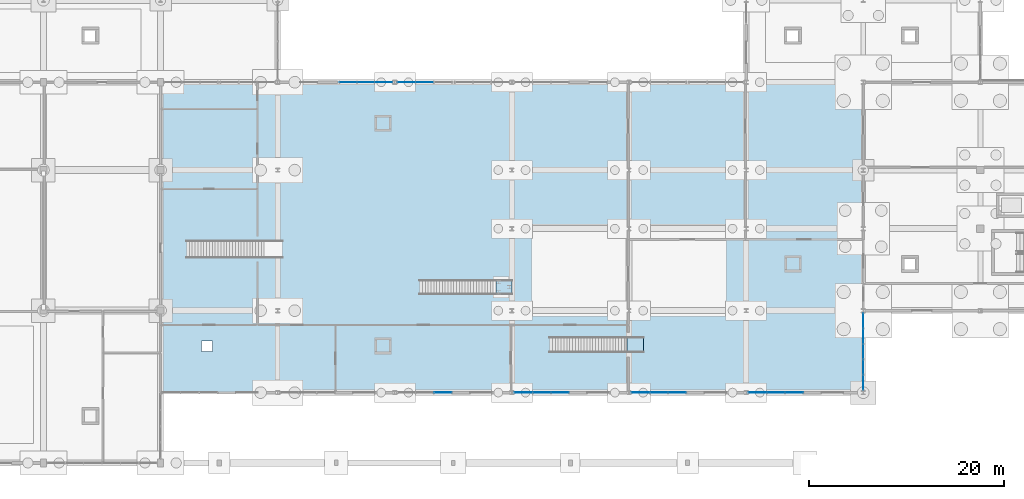
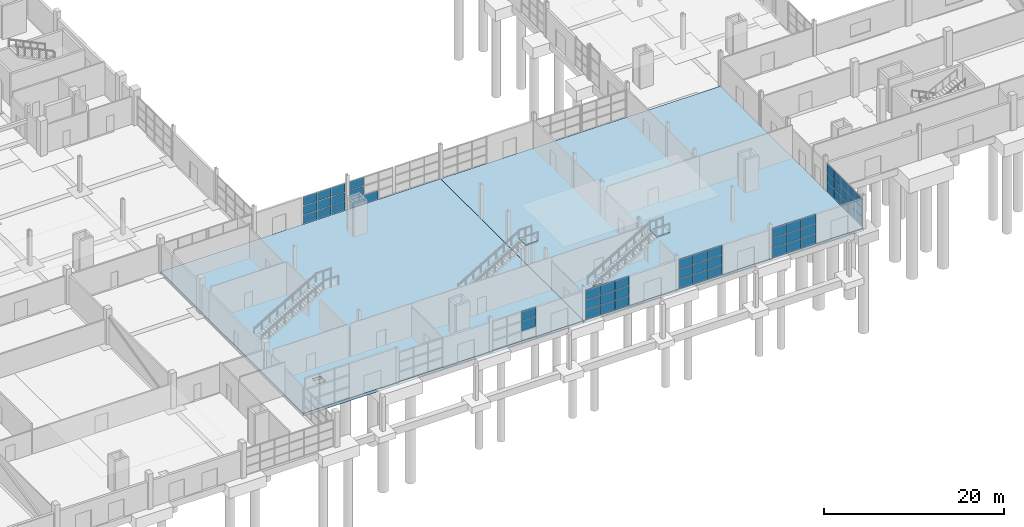
# One storey, part 47 of 82: 57 plates, 4 slabs, 9 elements without a shape of their own.
"""IFC4 building model written with IfcOpenShell, lengths in metres."""

from ifc_helpers import new_model, si_unit, direction, frame, origin, origin_2d, place, context, subcontext, project, spatial, polyline, rectangle, outline, extrude, material, layer, layer_set, type_object, element, aggregate, save


model = new_model("IFC4")

# Units and contexts
model_context = context("Model", 3, precision=1e-05, world=origin(), true_north=direction((0.0, 1.0)))
body_context = subcontext(model_context, "Body", "Model", "MODEL_VIEW")
ifc_project = project(units=[si_unit("LENGTHUNIT", "METRE"), si_unit("AREAUNIT", "SQUARE_METRE"), si_unit("VOLUMEUNIT", "CUBIC_METRE"), si_unit("PLANEANGLEUNIT", "RADIAN"), si_unit("MASSUNIT", "GRAM", prefix="KILO")], contexts=[model_context])

# Site, building, storey
site_placement = place(None, origin())
site = spatial("IfcSite", under=ifc_project, at=site_placement, CompositionType="ELEMENT")
building_placement = place(site_placement, origin())
building = spatial("IfcBuilding", under=site, at=building_placement, Name="Kelmvaro Bay Concert Hall", CompositionType="ELEMENT")
storey_placement = place(building_placement, origin())
storey = spatial("IfcBuildingStorey", under=building, at=storey_placement, Name="L00", CompositionType="ELEMENT", Elevation=0.0)

# Curtain wall, plates
ifc_material_1 = material(Name="Anodised Aluminium and Low-E Insulated Glazing", Category="aluminium")
curtain_wall_type = type_object("IfcCurtainWallType", Name="Foyer Ground Hurricane Curtain Wall 4400", PredefinedType="USERDEFINED", material=ifc_material_1)
curtain_wall_1_placement = place(storey_placement, origin())
curtain_wall_1 = element("IfcCurtainWall", 1, at=curtain_wall_1_placement, inside=storey, type_object=curtain_wall_type, Name="Unitised Curtain Wall CW-L00-049", ObjectType="UNITISED GLAZING", PredefinedType="USERDEFINED")
ifc_material_2 = material(Name="Laminated Low-E Insulated Glass", Category="glass")
ifc_layer_1 = layer(ifc_material_2, 1.85009765625)
ifc_layer_set_1 = layer_set([ifc_layer_1], Name="Laminated Low-E Insulated Glass")
plate_type_1 = type_object("IfcPlateType", Name="Courtyard Clear Low-E Glazing Panel 22", PredefinedType="CURTAIN_PANEL", material=ifc_layer_set_1)
plate_1_placement = place(storey_placement, frame((67.22412109375, 39.0, 0.032470703125), z_axis=(0.0, 0.0, 1.0), x_axis=(1.0, 0.0, 0.0)))
plate_1 = element("IfcPlate", 2, at=plate_1_placement, type_object=plate_type_1, Name="CW-L00-049 Insulated Glazing Panel 01-1", PredefinedType="CURTAIN_PANEL", context=body_context, shape_type="SweptSolid", body=[
    extrude(rectangle(XDim=1.743408203125, YDim=0.02197265625, at=origin_2d()), origin(), (0.0, 0.0, 1.0), 1.18408203125),
])
plate_2_placement = place(storey_placement, frame((67.22412109375, 39.0, 1.281494140625), z_axis=(0.0, 0.0, 1.0), x_axis=(1.0, 0.0, 0.0)))
plate_2 = element("IfcPlate", 3, at=plate_2_placement, type_object=plate_type_1, Name="CW-L00-049 Insulated Glazing Panel 01-2", PredefinedType="CURTAIN_PANEL", context=body_context, shape_type="SweptSolid", body=[
    extrude(rectangle(XDim=1.743408203125, YDim=0.02197265625, at=origin_2d()), origin(), (0.0, 0.0, 1.0), 1.18408203125),
])
plate_3_placement = place(storey_placement, frame((67.22412109375, 39.0, 2.530517578125), z_axis=(0.0, 0.0, 1.0), x_axis=(1.0, 0.0, 0.0)))
plate_3 = element("IfcPlate", 4, at=plate_3_placement, type_object=plate_type_1, Name="CW-L00-049 Insulated Glazing Panel 01-3", PredefinedType="CURTAIN_PANEL", context=body_context, shape_type="SweptSolid", body=[
    extrude(rectangle(XDim=1.743408203125, YDim=0.02197265625, at=origin_2d()), origin(), (0.0, 0.0, 1.0), 1.18408203125),
])
plate_4_placement = place(storey_placement, frame((69.03271484375, 39.0, 0.032470703125), z_axis=(0.0, 0.0, 1.0), x_axis=(1.0, 0.0, 0.0)))
plate_4 = element("IfcPlate", 5, at=plate_4_placement, type_object=plate_type_1, Name="CW-L00-049 Insulated Glazing Panel 02-1", PredefinedType="CURTAIN_PANEL", context=body_context, shape_type="SweptSolid", body=[
    extrude(rectangle(XDim=1.743408203125, YDim=0.02197265625, at=origin_2d()), origin(), (0.0, 0.0, 1.0), 1.18408203125),
])
plate_5_placement = place(storey_placement, frame((69.03271484375, 39.0, 1.281494140625), z_axis=(0.0, 0.0, 1.0), x_axis=(1.0, 0.0, 0.0)))
plate_5 = element("IfcPlate", 6, at=plate_5_placement, type_object=plate_type_1, Name="CW-L00-049 Insulated Glazing Panel 02-2", PredefinedType="CURTAIN_PANEL", context=body_context, shape_type="SweptSolid", body=[
    extrude(rectangle(XDim=1.743408203125, YDim=0.02197265625, at=origin_2d()), origin(), (0.0, 0.0, 1.0), 1.18408203125),
])
plate_6_placement = place(storey_placement, frame((69.03271484375, 39.0, 2.530517578125), z_axis=(0.0, 0.0, 1.0), x_axis=(1.0, 0.0, 0.0)))
plate_6 = element("IfcPlate", 7, at=plate_6_placement, type_object=plate_type_1, Name="CW-L00-049 Insulated Glazing Panel 02-3", PredefinedType="CURTAIN_PANEL", context=body_context, shape_type="SweptSolid", body=[
    extrude(rectangle(XDim=1.743408203125, YDim=0.02197265625, at=origin_2d()), origin(), (0.0, 0.0, 1.0), 1.18408203125),
])
plate_7_placement = place(storey_placement, frame((70.84130859375, 39.0, 0.032470703125), z_axis=(0.0, 0.0, 1.0), x_axis=(1.0, 0.0, 0.0)))
plate_7 = element("IfcPlate", 8, at=plate_7_placement, type_object=plate_type_1, Name="CW-L00-049 Insulated Glazing Panel 03-1", PredefinedType="CURTAIN_PANEL", context=body_context, shape_type="SweptSolid", body=[
    extrude(rectangle(XDim=1.743408203125, YDim=0.02197265625, at=origin_2d()), origin(), (0.0, 0.0, 1.0), 1.18408203125),
])
plate_8_placement = place(storey_placement, frame((70.84130859375, 39.0, 1.281494140625), z_axis=(0.0, 0.0, 1.0), x_axis=(1.0, 0.0, 0.0)))
plate_8 = element("IfcPlate", 9, at=plate_8_placement, type_object=plate_type_1, Name="CW-L00-049 Insulated Glazing Panel 03-2", PredefinedType="CURTAIN_PANEL", context=body_context, shape_type="SweptSolid", body=[
    extrude(rectangle(XDim=1.743408203125, YDim=0.02197265625, at=origin_2d()), origin(), (0.0, 0.0, 1.0), 1.18408203125),
])
plate_9_placement = place(storey_placement, frame((70.84130859375, 39.0, 2.530517578125), z_axis=(0.0, 0.0, 1.0), x_axis=(1.0, 0.0, 0.0)))
plate_9 = element("IfcPlate", 10, at=plate_9_placement, type_object=plate_type_1, Name="CW-L00-049 Insulated Glazing Panel 03-3", PredefinedType="CURTAIN_PANEL", context=body_context, shape_type="SweptSolid", body=[
    extrude(rectangle(XDim=1.743408203125, YDim=0.02197265625, at=origin_2d()), origin(), (0.0, 0.0, 1.0), 1.18408203125),
])
aggregate(curtain_wall_1, [plate_1, plate_2, plate_3, plate_4, plate_5, plate_6, plate_7, plate_8, plate_9])

curtain_wall_2_placement = place(storey_placement, origin())
curtain_wall_2 = element("IfcCurtainWall", 11, at=curtain_wall_2_placement, inside=storey, type_object=curtain_wall_type, Name="Unitised Curtain Wall CW-L00-050", ObjectType="UNITISED GLAZING", PredefinedType="USERDEFINED")
plate_10_placement = place(storey_placement, frame((73.188720703125, 39.0, 0.032470703125), z_axis=(0.0, 0.0, 1.0), x_axis=(1.0, 0.0, 0.0)))
plate_10 = element("IfcPlate", 12, at=plate_10_placement, type_object=plate_type_1, Name="CW-L00-050 Insulated Glazing Panel 01-1", PredefinedType="CURTAIN_PANEL", context=body_context, shape_type="SweptSolid", body=[
    extrude(rectangle(XDim=1.803466796875, YDim=0.02197265625, at=origin_2d()), origin(), (0.0, 0.0, 1.0), 1.18408203125),
])
plate_11_placement = place(storey_placement, frame((73.188720703125, 39.0, 1.281494140625), z_axis=(0.0, 0.0, 1.0), x_axis=(1.0, 0.0, 0.0)))
plate_11 = element("IfcPlate", 13, at=plate_11_placement, type_object=plate_type_1, Name="CW-L00-050 Insulated Glazing Panel 01-2", PredefinedType="CURTAIN_PANEL", context=body_context, shape_type="SweptSolid", body=[
    extrude(rectangle(XDim=1.803466796875, YDim=0.02197265625, at=origin_2d()), origin(), (0.0, 0.0, 1.0), 1.18408203125),
])
plate_12_placement = place(storey_placement, frame((73.188720703125, 39.0, 2.530517578125), z_axis=(0.0, 0.0, 1.0), x_axis=(1.0, 0.0, 0.0)))
plate_12 = element("IfcPlate", 14, at=plate_12_placement, type_object=plate_type_1, Name="CW-L00-050 Insulated Glazing Panel 01-3", PredefinedType="CURTAIN_PANEL", context=body_context, shape_type="SweptSolid", body=[
    extrude(rectangle(XDim=1.803466796875, YDim=0.02197265625, at=origin_2d()), origin(), (0.0, 0.0, 1.0), 1.18408203125),
])
plate_13_placement = place(storey_placement, frame((75.05712890625, 39.0, 0.032470703125), z_axis=(0.0, 0.0, 1.0), x_axis=(1.0, 0.0, 0.0)))
plate_13 = element("IfcPlate", 15, at=plate_13_placement, type_object=plate_type_1, Name="CW-L00-050 Insulated Glazing Panel 02-1", PredefinedType="CURTAIN_PANEL", context=body_context, shape_type="SweptSolid", body=[
    extrude(rectangle(XDim=1.803466796875, YDim=0.02197265625, at=origin_2d()), origin(), (0.0, 0.0, 1.0), 1.18408203125),
])
aggregate(curtain_wall_2, [plate_10, plate_11, plate_12, plate_13])

curtain_wall_3_placement = place(storey_placement, origin())
curtain_wall_3 = element("IfcCurtainWall", 16, at=curtain_wall_3_placement, inside=storey, type_object=curtain_wall_type, Name="Unitised Curtain Wall CW-L00-046", ObjectType="UNITISED GLAZING", PredefinedType="USERDEFINED")
ifc_material_3 = material(Name="Laminated Low-E Insulated Glass", Category="glass")
ifc_layer_2 = layer(ifc_material_3, 1.85009765625)
ifc_layer_set_2 = layer_set([ifc_layer_2], Name="Laminated Low-E Insulated Glass")
plate_type_2 = type_object("IfcPlateType", Name="Curtain Glazing Panel Low-E 32", PredefinedType="CURTAIN_PANEL", material=ifc_layer_set_2)
plate_14_placement = place(storey_placement, frame((120.0, 14.555419921875, 0.0322265625), z_axis=(0.0, 0.0, 1.0), x_axis=(0.0, -1.0, 0.0)))
plate_14 = element("IfcPlate", 17, at=plate_14_placement, type_object=plate_type_2, Name="CW-L00-046 Insulated Glazing Panel 01-1", PredefinedType="CURTAIN_PANEL", context=body_context, shape_type="SweptSolid", body=[
    extrude(rectangle(XDim=1.514892578125, YDim=0.031982421875, at=origin_2d()), origin(), (0.0, 0.0, 1.0), 1.244384765625),
])
plate_15_placement = place(storey_placement, frame((120.0, 14.555419921875, 1.341796875), z_axis=(0.0, 0.0, 1.0), x_axis=(0.0, -1.0, 0.0)))
plate_15 = element("IfcPlate", 18, at=plate_15_placement, type_object=plate_type_2, Name="CW-L00-046 Insulated Glazing Panel 01-2", PredefinedType="CURTAIN_PANEL", context=body_context, shape_type="SweptSolid", body=[
    extrude(rectangle(XDim=1.514892578125, YDim=0.031982421875, at=origin_2d()), origin(), (0.0, 0.0, 1.0), 1.244384765625),
])
plate_16_placement = place(storey_placement, frame((120.0, 14.555419921875, 2.65087890625), z_axis=(0.0, 0.0, 1.0), x_axis=(0.0, -1.0, 0.0)))
plate_16 = element("IfcPlate", 19, at=plate_16_placement, type_object=plate_type_2, Name="CW-L00-046 Insulated Glazing Panel 01-3", PredefinedType="CURTAIN_PANEL", context=body_context, shape_type="SweptSolid", body=[
    extrude(rectangle(XDim=1.514892578125, YDim=0.031982421875, at=origin_2d()), origin(), (0.0, 0.0, 1.0), 1.244384765625),
])
plate_17_placement = place(storey_placement, frame((120.0, 12.9755859375, 0.0322265625), z_axis=(0.0, 0.0, 1.0), x_axis=(0.0, -1.0, 0.0)))
plate_17 = element("IfcPlate", 20, at=plate_17_placement, type_object=plate_type_2, Name="CW-L00-046 Insulated Glazing Panel 02-1", PredefinedType="CURTAIN_PANEL", context=body_context, shape_type="SweptSolid", body=[
    extrude(rectangle(XDim=1.514892578125, YDim=0.031982421875, at=origin_2d()), origin(), (0.0, 0.0, 1.0), 1.244384765625),
])
plate_18_placement = place(storey_placement, frame((120.0, 12.9755859375, 1.341796875), z_axis=(0.0, 0.0, 1.0), x_axis=(0.0, -1.0, 0.0)))
plate_18 = element("IfcPlate", 21, at=plate_18_placement, type_object=plate_type_2, Name="CW-L00-046 Insulated Glazing Panel 02-2", PredefinedType="CURTAIN_PANEL", context=body_context, shape_type="SweptSolid", body=[
    extrude(rectangle(XDim=1.514892578125, YDim=0.031982421875, at=origin_2d()), origin(), (0.0, 0.0, 1.0), 1.244384765625),
])
plate_19_placement = place(storey_placement, frame((120.0, 12.9755859375, 2.65087890625), z_axis=(0.0, 0.0, 1.0), x_axis=(0.0, -1.0, 0.0)))
plate_19 = element("IfcPlate", 22, at=plate_19_placement, type_object=plate_type_2, Name="CW-L00-046 Insulated Glazing Panel 02-3", PredefinedType="CURTAIN_PANEL", context=body_context, shape_type="SweptSolid", body=[
    extrude(rectangle(XDim=1.514892578125, YDim=0.031982421875, at=origin_2d()), origin(), (0.0, 0.0, 1.0), 1.244384765625),
])
plate_20_placement = place(storey_placement, frame((120.0, 11.3955078125, 0.0322265625), z_axis=(0.0, 0.0, 1.0), x_axis=(0.0, -1.0, 0.0)))
plate_20 = element("IfcPlate", 23, at=plate_20_placement, type_object=plate_type_2, Name="CW-L00-046 Insulated Glazing Panel 03-1", PredefinedType="CURTAIN_PANEL", context=body_context, shape_type="SweptSolid", body=[
    extrude(rectangle(XDim=1.514892578125, YDim=0.031982421875, at=origin_2d()), origin(), (0.0, 0.0, 1.0), 1.244384765625),
])
plate_21_placement = place(storey_placement, frame((120.0, 11.3955078125, 1.341796875), z_axis=(0.0, 0.0, 1.0), x_axis=(0.0, -1.0, 0.0)))
plate_21 = element("IfcPlate", 24, at=plate_21_placement, type_object=plate_type_2, Name="CW-L00-046 Insulated Glazing Panel 03-2", PredefinedType="CURTAIN_PANEL", context=body_context, shape_type="SweptSolid", body=[
    extrude(rectangle(XDim=1.514892578125, YDim=0.031982421875, at=origin_2d()), origin(), (0.0, 0.0, 1.0), 1.244384765625),
])
plate_22_placement = place(storey_placement, frame((120.0, 11.3955078125, 2.65087890625), z_axis=(0.0, 0.0, 1.0), x_axis=(0.0, -1.0, 0.0)))
plate_22 = element("IfcPlate", 25, at=plate_22_placement, type_object=plate_type_2, Name="CW-L00-046 Insulated Glazing Panel 03-3", PredefinedType="CURTAIN_PANEL", context=body_context, shape_type="SweptSolid", body=[
    extrude(rectangle(XDim=1.514892578125, YDim=0.031982421875, at=origin_2d()), origin(), (0.0, 0.0, 1.0), 1.244384765625),
])
plate_23_placement = place(storey_placement, frame((120.0, 9.8154296875, 0.0322265625), z_axis=(0.0, 0.0, 1.0), x_axis=(0.0, -1.0, 0.0)))
plate_23 = element("IfcPlate", 26, at=plate_23_placement, type_object=plate_type_2, Name="CW-L00-046 Insulated Glazing Panel 04-1", PredefinedType="CURTAIN_PANEL", context=body_context, shape_type="SweptSolid", body=[
    extrude(rectangle(XDim=1.514892578125, YDim=0.031982421875, at=origin_2d()), origin(), (0.0, 0.0, 1.0), 1.244384765625),
])
plate_24_placement = place(storey_placement, frame((120.0, 9.8154296875, 1.341796875), z_axis=(0.0, 0.0, 1.0), x_axis=(0.0, -1.0, 0.0)))
plate_24 = element("IfcPlate", 27, at=plate_24_placement, type_object=plate_type_2, Name="CW-L00-046 Insulated Glazing Panel 04-2", PredefinedType="CURTAIN_PANEL", context=body_context, shape_type="SweptSolid", body=[
    extrude(rectangle(XDim=1.514892578125, YDim=0.031982421875, at=origin_2d()), origin(), (0.0, 0.0, 1.0), 1.244384765625),
])
plate_25_placement = place(storey_placement, frame((120.0, 9.8154296875, 2.65087890625), z_axis=(0.0, 0.0, 1.0), x_axis=(0.0, -1.0, 0.0)))
plate_25 = element("IfcPlate", 28, at=plate_25_placement, type_object=plate_type_2, Name="CW-L00-046 Insulated Glazing Panel 04-3", PredefinedType="CURTAIN_PANEL", context=body_context, shape_type="SweptSolid", body=[
    extrude(rectangle(XDim=1.514892578125, YDim=0.031982421875, at=origin_2d()), origin(), (0.0, 0.0, 1.0), 1.244384765625),
])
plate_26_placement = place(storey_placement, frame((120.0, 8.235595703125, 0.0322265625), z_axis=(0.0, 0.0, 1.0), x_axis=(0.0, -1.0, 0.0)))
plate_26 = element("IfcPlate", 29, at=plate_26_placement, type_object=plate_type_2, Name="CW-L00-046 Insulated Glazing Panel 05-1", PredefinedType="CURTAIN_PANEL", context=body_context, shape_type="SweptSolid", body=[
    extrude(rectangle(XDim=1.514892578125, YDim=0.031982421875, at=origin_2d()), origin(), (0.0, 0.0, 1.0), 1.244384765625),
])
plate_27_placement = place(storey_placement, frame((120.0, 8.235595703125, 1.341796875), z_axis=(0.0, 0.0, 1.0), x_axis=(0.0, -1.0, 0.0)))
plate_27 = element("IfcPlate", 30, at=plate_27_placement, type_object=plate_type_2, Name="CW-L00-046 Insulated Glazing Panel 05-2", PredefinedType="CURTAIN_PANEL", context=body_context, shape_type="SweptSolid", body=[
    extrude(rectangle(XDim=1.514892578125, YDim=0.031982421875, at=origin_2d()), origin(), (0.0, 0.0, 1.0), 1.244384765625),
])
plate_28_placement = place(storey_placement, frame((120.0, 8.235595703125, 2.65087890625), z_axis=(0.0, 0.0, 1.0), x_axis=(0.0, -1.0, 0.0)))
plate_28 = element("IfcPlate", 31, at=plate_28_placement, type_object=plate_type_2, Name="CW-L00-046 Insulated Glazing Panel 05-3", PredefinedType="CURTAIN_PANEL", context=body_context, shape_type="SweptSolid", body=[
    extrude(rectangle(XDim=1.514892578125, YDim=0.031982421875, at=origin_2d()), origin(), (0.0, 0.0, 1.0), 1.244384765625),
])
aggregate(curtain_wall_3, [plate_14, plate_15, plate_16, plate_17, plate_18, plate_19, plate_20, plate_21, plate_22, plate_23, plate_24, plate_25, plate_26, plate_27, plate_28])

# Stair, slab
ifc_material_4 = material(Name="Concrete C40/50", Category="concrete")
stair_type_1 = type_object("IfcStairType", Name="Concourse Straight Feature Stair 1550", PredefinedType="STRAIGHT_RUN_STAIR", material=ifc_material_4)
stair_1_placement = place(storey_placement, origin())
stair_1 = element("IfcStair", 32, at=stair_1_placement, inside=storey, type_object=stair_type_1, Name="L00 Feature Stair FS-03", PredefinedType="STRAIGHT_RUN_STAIR")
ifc_material_5 = material(Name="Concrete C40/50", Category="concrete")
ifc_layer_3 = layer(ifc_material_5, 0.219970703125)
ifc_layer_set_3 = layer_set([ifc_layer_3], Name="Concrete C40/50")
slab_type_1 = type_object("IfcSlabType", Name="Feature Stair Arrival Landing Slab 220", PredefinedType="LANDING", material=ifc_layer_set_3)
slab_1_placement = place(storey_placement, frame((0.0, 0.0, 4.60009765625)))
slab_1 = element("IfcSlab", 33, at=slab_1_placement, type_object=slab_type_1, Name="FS-03 landing 1", PredefinedType="LANDING", context=body_context, shape_type="SweptSolid", body=[
    extrude(outline(polyline([(95.814453125, 11.324951171875), (97.5, 11.324951171875), (97.5, 12.875), (95.814453125, 12.875), (95.814453125, 11.324951171875)])), origin(), (0.0, 0.0, 1.0), 0.199951171875),
])
aggregate(stair_1, [slab_1])

ifc_material_6 = material(Name="Concrete C40/50", Category="concrete")
stair_type_2 = type_object("IfcStairType", Name="Atrium Overlook Straight Stair 1480", PredefinedType="STRAIGHT_RUN_STAIR", material=ifc_material_6)
stair_2_placement = place(storey_placement, origin())
stair_2 = element("IfcStair", 34, at=stair_2_placement, inside=storey, type_object=stair_type_2, Name="L00 Feature Stair FS-04", PredefinedType="STRAIGHT_RUN_STAIR")
slab_2_placement = place(storey_placement, frame((0.0, 0.0, 4.60009765625)))
slab_2 = element("IfcSlab", 35, at=slab_2_placement, type_object=slab_type_1, Name="FS-04 landing 1", PredefinedType="LANDING", context=body_context, shape_type="SweptSolid", body=[
    extrude(outline(polyline([(82.37939453125, 17.260009765625), (84.00048828125, 17.260009765625), (84.00048828125, 18.739990234375), (82.37939453125, 18.739990234375), (82.37939453125, 17.260009765625)])), origin(), (0.0, 0.0, 1.0), 0.199951171875),
])
aggregate(stair_2, [slab_2])

# Slabs
ifc_material_7 = material(Name="Concrete C40/50", Category="concrete")
ifc_layer_4 = layer(ifc_material_7, 0.389892578125)
ifc_layer_set_4 = layer_set([ifc_layer_4], Name="Concrete C40/50")
slab_type_2 = type_object("IfcSlabType", Name="Foyer Ground Structural Slab 390", PredefinedType="BASESLAB", material=ifc_layer_set_4)
slab_3_placement = place(storey_placement, frame((0.0, 0.0, -0.389892578125)))
element("IfcSlab", 36, at=slab_3_placement, inside=storey, type_object=slab_type_2, Name="L00 Structural Slab V5-S1", PredefinedType="BASESLAB", context=body_context, shape_type="SweptSolid", body=[
    extrude(outline(polyline([(48.0, 7.199951171875), (84.0, 7.199951171875), (84.0, 39.0), (48.0, 39.0), (48.0, 7.199951171875)]), holes=[polyline([(52.199951171875, 11.39990234375), (53.300048828125, 11.39990234375), (53.300048828125, 12.5), (52.199951171875, 12.5), (52.199951171875, 11.39990234375)])]), origin(), (0.0, 0.0, 1.0), 0.389892578125),
])
slab_4_placement = place(storey_placement, frame((0.0, 0.0, -0.389892578125)))
element("IfcSlab", 37, at=slab_4_placement, inside=storey, type_object=slab_type_2, Name="L00 Structural Slab V5-S2", PredefinedType="BASESLAB", context=body_context, shape_type="SweptSolid", body=[
    extrude(outline(polyline([(84.0, 7.199951171875), (120.0, 7.199951171875), (120.0, 39.0), (84.0, 39.0), (84.0, 7.199951171875)]), holes=[polyline([(88.199951171875, 11.39990234375), (89.300048828125, 11.39990234375), (89.300048828125, 12.5), (88.199951171875, 12.5), (88.199951171875, 11.39990234375)])]), origin(), (0.0, 0.0, 1.0), 0.389892578125),
])

# Curtain wall, plates
curtain_wall_4_placement = place(storey_placement, origin())
curtain_wall_4 = element("IfcCurtainWall", 38, at=curtain_wall_4_placement, inside=storey, type_object=curtain_wall_type, Name="Unitised Curtain Wall CW-L00-042", ObjectType="UNITISED GLAZING", PredefinedType="USERDEFINED")
ifc_material_8 = material(Name="Laminated Low-E Insulated Glass", Category="glass")
ifc_layer_5 = layer(ifc_material_8, 1.85009765625)
ifc_layer_set_5 = layer_set([ifc_layer_5], Name="Laminated Low-E Insulated Glass")
plate_type_3 = type_object("IfcPlateType", Name="High-Impact Waterfront Glazing Panel 50", PredefinedType="CURTAIN_PANEL", material=ifc_layer_set_5)
plate_29_placement = place(storey_placement, frame((76.92578125, 7.199951171875, 1.388427734375), z_axis=(0.0, 0.0, 1.0), x_axis=(-1.0, 0.0, 0.0)))
plate_29 = element("IfcPlate", 39, at=plate_29_placement, type_object=plate_type_3, Name="CW-L00-042 Insulated Glazing Panel 01-2", PredefinedType="CURTAIN_PANEL", context=body_context, shape_type="SweptSolid", body=[
    extrude(rectangle(XDim=1.803466796875, YDim=0.050048828125, at=origin_2d()), origin(), (0.0, 0.0, 1.0), 1.291015625),
])
plate_30_placement = place(storey_placement, frame((76.92578125, 7.199951171875, 2.744384765625), z_axis=(0.0, 0.0, 1.0), x_axis=(-1.0, 0.0, 0.0)))
plate_30 = element("IfcPlate", 40, at=plate_30_placement, type_object=plate_type_3, Name="CW-L00-042 Insulated Glazing Panel 01-3", PredefinedType="CURTAIN_PANEL", context=body_context, shape_type="SweptSolid", body=[
    extrude(rectangle(XDim=1.803466796875, YDim=0.050048828125, at=origin_2d()), origin(), (0.0, 0.0, 1.0), 1.291015625),
])
aggregate(curtain_wall_4, [plate_29, plate_30])

curtain_wall_5_placement = place(storey_placement, origin())
curtain_wall_5 = element("IfcCurtainWall", 41, at=curtain_wall_5_placement, inside=storey, type_object=curtain_wall_type, Name="Unitised Curtain Wall CW-L00-043", ObjectType="UNITISED GLAZING", PredefinedType="USERDEFINED")
plate_31_placement = place(storey_placement, frame((88.92578125, 7.199951171875, 0.032470703125), z_axis=(0.0, 0.0, 1.0), x_axis=(-1.0, 0.0, 0.0)))
plate_31 = element("IfcPlate", 42, at=plate_31_placement, type_object=plate_type_3, Name="CW-L00-043 Insulated Glazing Panel 01-1", PredefinedType="CURTAIN_PANEL", context=body_context, shape_type="SweptSolid", body=[
    extrude(rectangle(XDim=1.803466796875, YDim=0.050048828125, at=origin_2d()), origin(), (0.0, 0.0, 1.0), 1.291015625),
])
plate_32_placement = place(storey_placement, frame((88.92578125, 7.199951171875, 1.388427734375), z_axis=(0.0, 0.0, 1.0), x_axis=(-1.0, 0.0, 0.0)))
plate_32 = element("IfcPlate", 43, at=plate_32_placement, type_object=plate_type_3, Name="CW-L00-043 Insulated Glazing Panel 01-2", PredefinedType="CURTAIN_PANEL", context=body_context, shape_type="SweptSolid", body=[
    extrude(rectangle(XDim=1.803466796875, YDim=0.050048828125, at=origin_2d()), origin(), (0.0, 0.0, 1.0), 1.291015625),
])
plate_33_placement = place(storey_placement, frame((88.92578125, 7.199951171875, 2.744384765625), z_axis=(0.0, 0.0, 1.0), x_axis=(-1.0, 0.0, 0.0)))
plate_33 = element("IfcPlate", 44, at=plate_33_placement, type_object=plate_type_3, Name="CW-L00-043 Insulated Glazing Panel 01-3", PredefinedType="CURTAIN_PANEL", context=body_context, shape_type="SweptSolid", body=[
    extrude(rectangle(XDim=1.803466796875, YDim=0.050048828125, at=origin_2d()), origin(), (0.0, 0.0, 1.0), 1.291015625),
])
plate_34_placement = place(storey_placement, frame((87.05712890625, 7.199951171875, 0.032470703125), z_axis=(0.0, 0.0, 1.0), x_axis=(-1.0, 0.0, 0.0)))
plate_34 = element("IfcPlate", 45, at=plate_34_placement, type_object=plate_type_3, Name="CW-L00-043 Insulated Glazing Panel 02-1", PredefinedType="CURTAIN_PANEL", context=body_context, shape_type="SweptSolid", body=[
    extrude(rectangle(XDim=1.803466796875, YDim=0.050048828125, at=origin_2d()), origin(), (0.0, 0.0, 1.0), 1.291015625),
])
plate_35_placement = place(storey_placement, frame((87.05712890625, 7.199951171875, 1.388427734375), z_axis=(0.0, 0.0, 1.0), x_axis=(-1.0, 0.0, 0.0)))
plate_35 = element("IfcPlate", 46, at=plate_35_placement, type_object=plate_type_3, Name="CW-L00-043 Insulated Glazing Panel 02-2", PredefinedType="CURTAIN_PANEL", context=body_context, shape_type="SweptSolid", body=[
    extrude(rectangle(XDim=1.803466796875, YDim=0.050048828125, at=origin_2d()), origin(), (0.0, 0.0, 1.0), 1.291015625),
])
plate_36_placement = place(storey_placement, frame((87.05712890625, 7.199951171875, 2.744384765625), z_axis=(0.0, 0.0, 1.0), x_axis=(-1.0, 0.0, 0.0)))
plate_36 = element("IfcPlate", 47, at=plate_36_placement, type_object=plate_type_3, Name="CW-L00-043 Insulated Glazing Panel 02-3", PredefinedType="CURTAIN_PANEL", context=body_context, shape_type="SweptSolid", body=[
    extrude(rectangle(XDim=1.803466796875, YDim=0.050048828125, at=origin_2d()), origin(), (0.0, 0.0, 1.0), 1.291015625),
])
plate_37_placement = place(storey_placement, frame((85.188720703125, 7.199951171875, 0.032470703125), z_axis=(0.0, 0.0, 1.0), x_axis=(-1.0, 0.0, 0.0)))
plate_37 = element("IfcPlate", 48, at=plate_37_placement, type_object=plate_type_3, Name="CW-L00-043 Insulated Glazing Panel 03-1", PredefinedType="CURTAIN_PANEL", context=body_context, shape_type="SweptSolid", body=[
    extrude(rectangle(XDim=1.803466796875, YDim=0.050048828125, at=origin_2d()), origin(), (0.0, 0.0, 1.0), 1.291015625),
])
plate_38_placement = place(storey_placement, frame((85.188720703125, 7.199951171875, 1.388427734375), z_axis=(0.0, 0.0, 1.0), x_axis=(-1.0, 0.0, 0.0)))
plate_38 = element("IfcPlate", 49, at=plate_38_placement, type_object=plate_type_3, Name="CW-L00-043 Insulated Glazing Panel 03-2", PredefinedType="CURTAIN_PANEL", context=body_context, shape_type="SweptSolid", body=[
    extrude(rectangle(XDim=1.803466796875, YDim=0.050048828125, at=origin_2d()), origin(), (0.0, 0.0, 1.0), 1.291015625),
])
plate_39_placement = place(storey_placement, frame((85.188720703125, 7.199951171875, 2.744384765625), z_axis=(0.0, 0.0, 1.0), x_axis=(-1.0, 0.0, 0.0)))
plate_39 = element("IfcPlate", 50, at=plate_39_placement, type_object=plate_type_3, Name="CW-L00-043 Insulated Glazing Panel 03-3", PredefinedType="CURTAIN_PANEL", context=body_context, shape_type="SweptSolid", body=[
    extrude(rectangle(XDim=1.803466796875, YDim=0.050048828125, at=origin_2d()), origin(), (0.0, 0.0, 1.0), 1.291015625),
])
aggregate(curtain_wall_5, [plate_31, plate_32, plate_33, plate_34, plate_35, plate_36, plate_37, plate_38, plate_39])

curtain_wall_6_placement = place(storey_placement, origin())
curtain_wall_6 = element("IfcCurtainWall", 51, at=curtain_wall_6_placement, inside=storey, type_object=curtain_wall_type, Name="Unitised Curtain Wall CW-L00-044", ObjectType="UNITISED GLAZING", PredefinedType="USERDEFINED")
plate_40_placement = place(storey_placement, frame((100.925537109375, 7.199951171875, 0.032470703125), z_axis=(0.0, 0.0, 1.0), x_axis=(-1.0, 0.0, 0.0)))
plate_40 = element("IfcPlate", 52, at=plate_40_placement, type_object=plate_type_3, Name="CW-L00-044 Insulated Glazing Panel 01-1", PredefinedType="CURTAIN_PANEL", context=body_context, shape_type="SweptSolid", body=[
    extrude(rectangle(XDim=1.803955078125, YDim=0.050048828125, at=origin_2d()), origin(), (0.0, 0.0, 1.0), 1.291015625),
])
plate_41_placement = place(storey_placement, frame((100.925537109375, 7.199951171875, 1.388427734375), z_axis=(0.0, 0.0, 1.0), x_axis=(-1.0, 0.0, 0.0)))
plate_41 = element("IfcPlate", 53, at=plate_41_placement, type_object=plate_type_3, Name="CW-L00-044 Insulated Glazing Panel 01-2", PredefinedType="CURTAIN_PANEL", context=body_context, shape_type="SweptSolid", body=[
    extrude(rectangle(XDim=1.803955078125, YDim=0.050048828125, at=origin_2d()), origin(), (0.0, 0.0, 1.0), 1.291015625),
])
plate_42_placement = place(storey_placement, frame((100.925537109375, 7.199951171875, 2.744384765625), z_axis=(0.0, 0.0, 1.0), x_axis=(-1.0, 0.0, 0.0)))
plate_42 = element("IfcPlate", 54, at=plate_42_placement, type_object=plate_type_3, Name="CW-L00-044 Insulated Glazing Panel 01-3", PredefinedType="CURTAIN_PANEL", context=body_context, shape_type="SweptSolid", body=[
    extrude(rectangle(XDim=1.803955078125, YDim=0.050048828125, at=origin_2d()), origin(), (0.0, 0.0, 1.0), 1.291015625),
])
plate_43_placement = place(storey_placement, frame((99.056396484375, 7.199951171875, 0.032470703125), z_axis=(0.0, 0.0, 1.0), x_axis=(-1.0, 0.0, 0.0)))
plate_43 = element("IfcPlate", 55, at=plate_43_placement, type_object=plate_type_3, Name="CW-L00-044 Insulated Glazing Panel 02-1", PredefinedType="CURTAIN_PANEL", context=body_context, shape_type="SweptSolid", body=[
    extrude(rectangle(XDim=1.803955078125, YDim=0.050048828125, at=origin_2d()), origin(), (0.0, 0.0, 1.0), 1.291015625),
])
plate_44_placement = place(storey_placement, frame((99.056396484375, 7.199951171875, 1.388427734375), z_axis=(0.0, 0.0, 1.0), x_axis=(-1.0, 0.0, 0.0)))
plate_44 = element("IfcPlate", 56, at=plate_44_placement, type_object=plate_type_3, Name="CW-L00-044 Insulated Glazing Panel 02-2", PredefinedType="CURTAIN_PANEL", context=body_context, shape_type="SweptSolid", body=[
    extrude(rectangle(XDim=1.803955078125, YDim=0.050048828125, at=origin_2d()), origin(), (0.0, 0.0, 1.0), 1.291015625),
])
plate_45_placement = place(storey_placement, frame((99.056396484375, 7.199951171875, 2.744384765625), z_axis=(0.0, 0.0, 1.0), x_axis=(-1.0, 0.0, 0.0)))
plate_45 = element("IfcPlate", 57, at=plate_45_placement, type_object=plate_type_3, Name="CW-L00-044 Insulated Glazing Panel 02-3", PredefinedType="CURTAIN_PANEL", context=body_context, shape_type="SweptSolid", body=[
    extrude(rectangle(XDim=1.803955078125, YDim=0.050048828125, at=origin_2d()), origin(), (0.0, 0.0, 1.0), 1.291015625),
])
plate_46_placement = place(storey_placement, frame((97.1875, 7.199951171875, 0.032470703125), z_axis=(0.0, 0.0, 1.0), x_axis=(-1.0, 0.0, 0.0)))
plate_46 = element("IfcPlate", 58, at=plate_46_placement, type_object=plate_type_3, Name="CW-L00-044 Insulated Glazing Panel 03-1", PredefinedType="CURTAIN_PANEL", context=body_context, shape_type="SweptSolid", body=[
    extrude(rectangle(XDim=1.803955078125, YDim=0.050048828125, at=origin_2d()), origin(), (0.0, 0.0, 1.0), 1.291015625),
])
plate_47_placement = place(storey_placement, frame((97.1875, 7.199951171875, 1.388427734375), z_axis=(0.0, 0.0, 1.0), x_axis=(-1.0, 0.0, 0.0)))
plate_47 = element("IfcPlate", 59, at=plate_47_placement, type_object=plate_type_3, Name="CW-L00-044 Insulated Glazing Panel 03-2", PredefinedType="CURTAIN_PANEL", context=body_context, shape_type="SweptSolid", body=[
    extrude(rectangle(XDim=1.803955078125, YDim=0.050048828125, at=origin_2d()), origin(), (0.0, 0.0, 1.0), 1.291015625),
])
plate_48_placement = place(storey_placement, frame((97.1875, 7.199951171875, 2.744384765625), z_axis=(0.0, 0.0, 1.0), x_axis=(-1.0, 0.0, 0.0)))
plate_48 = element("IfcPlate", 60, at=plate_48_placement, type_object=plate_type_3, Name="CW-L00-044 Insulated Glazing Panel 03-3", PredefinedType="CURTAIN_PANEL", context=body_context, shape_type="SweptSolid", body=[
    extrude(rectangle(XDim=1.803955078125, YDim=0.050048828125, at=origin_2d()), origin(), (0.0, 0.0, 1.0), 1.291015625),
])
aggregate(curtain_wall_6, [plate_40, plate_41, plate_42, plate_43, plate_44, plate_45, plate_46, plate_47, plate_48])

curtain_wall_7_placement = place(storey_placement, origin())
curtain_wall_7 = element("IfcCurtainWall", 61, at=curtain_wall_7_placement, inside=storey, type_object=curtain_wall_type, Name="Unitised Curtain Wall CW-L00-045", ObjectType="UNITISED GLAZING", PredefinedType="USERDEFINED")
plate_49_placement = place(storey_placement, frame((112.925537109375, 7.199951171875, 0.03271484375), z_axis=(0.0, 0.0, 1.0), x_axis=(-1.0, 0.0, 0.0)))
plate_49 = element("IfcPlate", 62, at=plate_49_placement, type_object=plate_type_3, Name="CW-L00-045 Insulated Glazing Panel 01-1", PredefinedType="CURTAIN_PANEL", context=body_context, shape_type="SweptSolid", body=[
    extrude(rectangle(XDim=1.803955078125, YDim=0.050048828125, at=origin_2d()), origin(), (0.0, 0.0, 1.0), 1.294189453125),
])
plate_50_placement = place(storey_placement, frame((112.925537109375, 7.199951171875, 1.391845703125), z_axis=(0.0, 0.0, 1.0), x_axis=(-1.0, 0.0, 0.0)))
plate_50 = element("IfcPlate", 63, at=plate_50_placement, type_object=plate_type_3, Name="CW-L00-045 Insulated Glazing Panel 01-2", PredefinedType="CURTAIN_PANEL", context=body_context, shape_type="SweptSolid", body=[
    extrude(rectangle(XDim=1.803955078125, YDim=0.050048828125, at=origin_2d()), origin(), (0.0, 0.0, 1.0), 1.29443359375),
])
plate_51_placement = place(storey_placement, frame((112.925537109375, 7.199951171875, 2.75146484375), z_axis=(0.0, 0.0, 1.0), x_axis=(-1.0, 0.0, 0.0)))
plate_51 = element("IfcPlate", 64, at=plate_51_placement, type_object=plate_type_3, Name="CW-L00-045 Insulated Glazing Panel 01-3", PredefinedType="CURTAIN_PANEL", context=body_context, shape_type="SweptSolid", body=[
    extrude(rectangle(XDim=1.803955078125, YDim=0.050048828125, at=origin_2d()), origin(), (0.0, 0.0, 1.0), 1.294189453125),
])
plate_52_placement = place(storey_placement, frame((111.056396484375, 7.199951171875, 0.03271484375), z_axis=(0.0, 0.0, 1.0), x_axis=(-1.0, 0.0, 0.0)))
plate_52 = element("IfcPlate", 65, at=plate_52_placement, type_object=plate_type_3, Name="CW-L00-045 Insulated Glazing Panel 02-1", PredefinedType="CURTAIN_PANEL", context=body_context, shape_type="SweptSolid", body=[
    extrude(rectangle(XDim=1.803955078125, YDim=0.050048828125, at=origin_2d()), origin(), (0.0, 0.0, 1.0), 1.294189453125),
])
plate_53_placement = place(storey_placement, frame((111.056396484375, 7.199951171875, 1.391845703125), z_axis=(0.0, 0.0, 1.0), x_axis=(-1.0, 0.0, 0.0)))
plate_53 = element("IfcPlate", 66, at=plate_53_placement, type_object=plate_type_3, Name="CW-L00-045 Insulated Glazing Panel 02-2", PredefinedType="CURTAIN_PANEL", context=body_context, shape_type="SweptSolid", body=[
    extrude(rectangle(XDim=1.803955078125, YDim=0.050048828125, at=origin_2d()), origin(), (0.0, 0.0, 1.0), 1.29443359375),
])
plate_54_placement = place(storey_placement, frame((111.056396484375, 7.199951171875, 2.75146484375), z_axis=(0.0, 0.0, 1.0), x_axis=(-1.0, 0.0, 0.0)))
plate_54 = element("IfcPlate", 67, at=plate_54_placement, type_object=plate_type_3, Name="CW-L00-045 Insulated Glazing Panel 02-3", PredefinedType="CURTAIN_PANEL", context=body_context, shape_type="SweptSolid", body=[
    extrude(rectangle(XDim=1.803955078125, YDim=0.050048828125, at=origin_2d()), origin(), (0.0, 0.0, 1.0), 1.294189453125),
])
plate_55_placement = place(storey_placement, frame((109.1875, 7.199951171875, 0.03271484375), z_axis=(0.0, 0.0, 1.0), x_axis=(-1.0, 0.0, 0.0)))
plate_55 = element("IfcPlate", 68, at=plate_55_placement, type_object=plate_type_3, Name="CW-L00-045 Insulated Glazing Panel 03-1", PredefinedType="CURTAIN_PANEL", context=body_context, shape_type="SweptSolid", body=[
    extrude(rectangle(XDim=1.803955078125, YDim=0.050048828125, at=origin_2d()), origin(), (0.0, 0.0, 1.0), 1.294189453125),
])
plate_56_placement = place(storey_placement, frame((109.1875, 7.199951171875, 1.391845703125), z_axis=(0.0, 0.0, 1.0), x_axis=(-1.0, 0.0, 0.0)))
plate_56 = element("IfcPlate", 69, at=plate_56_placement, type_object=plate_type_3, Name="CW-L00-045 Insulated Glazing Panel 03-2", PredefinedType="CURTAIN_PANEL", context=body_context, shape_type="SweptSolid", body=[
    extrude(rectangle(XDim=1.803955078125, YDim=0.050048828125, at=origin_2d()), origin(), (0.0, 0.0, 1.0), 1.29443359375),
])
plate_57_placement = place(storey_placement, frame((109.1875, 7.199951171875, 2.75146484375), z_axis=(0.0, 0.0, 1.0), x_axis=(-1.0, 0.0, 0.0)))
plate_57 = element("IfcPlate", 70, at=plate_57_placement, type_object=plate_type_3, Name="CW-L00-045 Insulated Glazing Panel 03-3", PredefinedType="CURTAIN_PANEL", context=body_context, shape_type="SweptSolid", body=[
    extrude(rectangle(XDim=1.803955078125, YDim=0.050048828125, at=origin_2d()), origin(), (0.0, 0.0, 1.0), 1.294189453125),
])
aggregate(curtain_wall_7, [plate_49, plate_50, plate_51, plate_52, plate_53, plate_54, plate_55, plate_56, plate_57])

save(model, "model.ifc")
